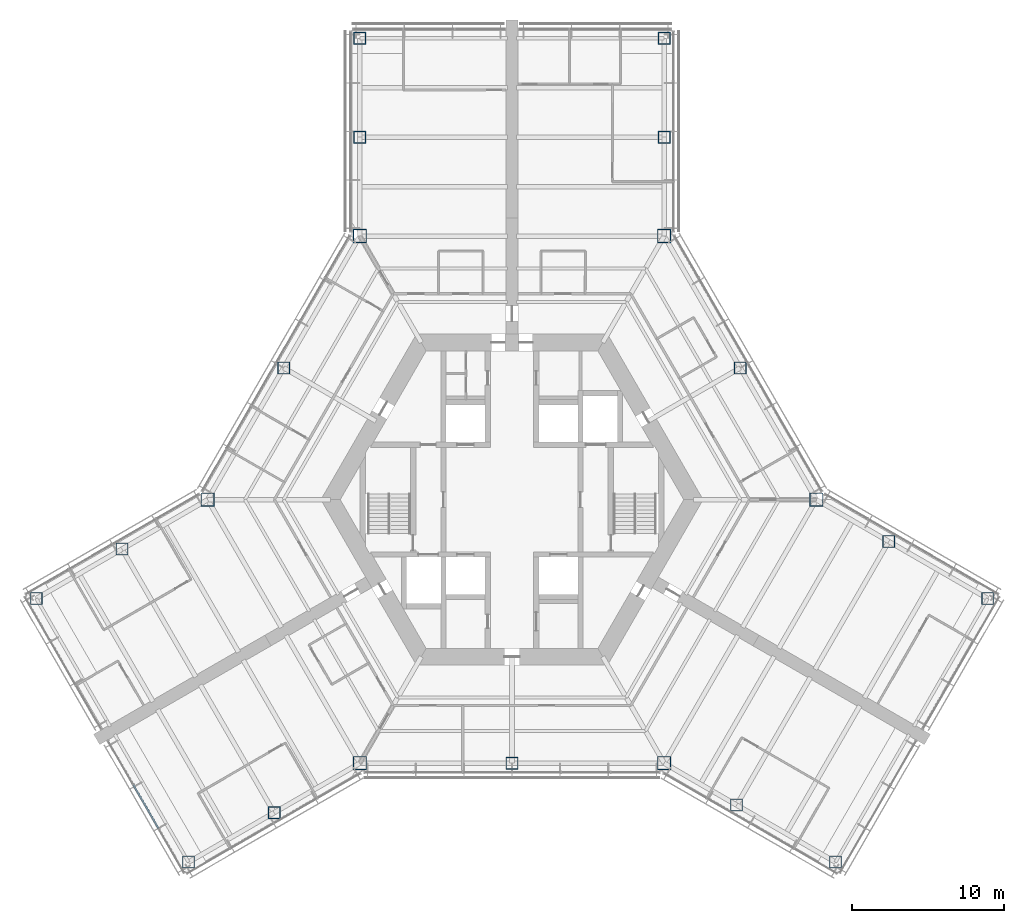
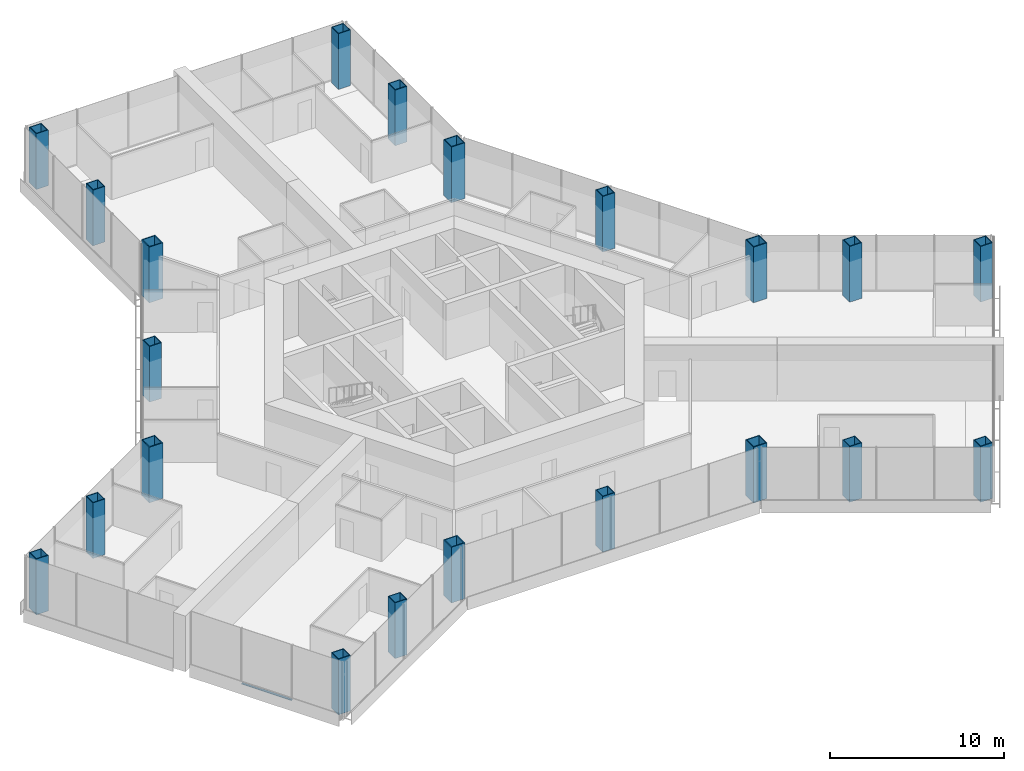
# One storey, part 1 of 18: 21 columns, 1 member, 1 element without a shape of its own.
"""IFC4 building model written with IfcOpenShell, lengths in metres."""

from ifc_helpers import new_model, si_unit, direction, frame, origin, origin_2d, place, context, subcontext, project, spatial, rectangle, hollow_rectangle, extrude, material, material_profile, profile_set, type_object, element, aggregate, save


model = new_model("IFC4")

# Units and contexts
model_context = context("Model", 3, precision=1e-05, world=origin(), true_north=direction((0.0, 1.0)))
body_context = subcontext(model_context, "Body", "Model", "MODEL_VIEW")
ifc_project = project(units=[si_unit("LENGTHUNIT", "METRE"), si_unit("AREAUNIT", "SQUARE_METRE"), si_unit("VOLUMEUNIT", "CUBIC_METRE"), si_unit("PLANEANGLEUNIT", "RADIAN"), si_unit("MASSUNIT", "GRAM", prefix="KILO")], contexts=[model_context])

# Site, building, storey
site_placement = place(None, origin())
site = spatial("IfcSite", under=ifc_project, at=site_placement, CompositionType="ELEMENT")
building_placement = place(site_placement, origin())
building = spatial("IfcBuilding", under=site, at=building_placement, Name="Kasaneha Research Tower", CompositionType="ELEMENT")
storey_placement = place(building_placement, frame((0.0, 0.0, 80.699951171875)))
storey = spatial("IfcBuildingStorey", under=building, at=storey_placement, Name="L20", CompositionType="ELEMENT", Elevation=80.699951171875)

# Columns
ifc_material_1 = material(Name="Steel SN490C", Category="steel")
ifc_material_profile_1 = material_profile(ifc_material_1, hollow_rectangle(XDim=0.89990234375, YDim=0.89990234375, WallThickness=0.054931640625, at=origin_2d()), Name="BOX-900x900x55")
ifc_profile_set_1 = profile_set([ifc_material_profile_1], Name="Steel SN490C")
column_type_1 = type_object("IfcColumnType", Name="C2A column BOX-900x900x55", PredefinedType="COLUMN", material=ifc_profile_set_1)
for number, where, z_axis, x_axis, name in (
    (1, (20.0, 0.0, 0.0), (0.0, 0.0, 1.0), (1.0, 0.0, 0.0), "Column V0 L20"),
    (2, (10.0, 17.320556640625, 0.0), (0.0, 0.0, 1.0), (1.0, 0.0, 0.0), "Column V1 L20"),
    (3, (-10.0, 17.320556640625, 0.0), (0.0, 0.0, 1.0), (1.0, 0.0, 0.0), "Column V2 L20"),
    (4, (-20.0, 0.0, 0.0), (0.0, 0.0, 1.0), (1.0, 0.0, 0.0), "Column V3 L20"),
    (5, (-10.0, -17.320556640625, 0.0), (0.0, 0.0, 1.0), (1.0, 0.0, 0.0), "Column V4 L20"),
    (6, (10.0, -17.320556640625, 0.0), (0.0, 0.0, 1.0), (1.0, 0.0, 0.0), "Column V5 L20"),
):
    element("IfcColumn", number, at=place(storey_placement, frame(where, z_axis=z_axis, x_axis=x_axis)), inside=storey, type_object=column_type_1, Name=name, PredefinedType="COLUMN", context=body_context, shape_type="SweptSolid", body=[
        extrude(hollow_rectangle(XDim=0.89990234375, YDim=0.89990234375, WallThickness=0.054931640625, at=origin_2d()), origin(), (0.0, 0.0, 1.0), 3.900146484375),
    ])
ifc_material_2 = material(Name="Steel SN490C", Category="steel")
ifc_material_profile_2 = material_profile(ifc_material_2, hollow_rectangle(XDim=0.800048828125, YDim=0.800048828125, WallThickness=0.044921875, at=origin_2d()), Name="BOX-800x800x45")
ifc_profile_set_2 = profile_set([ifc_material_profile_2], Name="Steel SN490C")
column_type_2 = type_object("IfcColumnType", Name="C2B column BOX-800x800x45", PredefinedType="COLUMN", material=ifc_profile_set_2)
for number, where, z_axis, x_axis, name in (
    (7, (15.0, 8.66015625, 0.0), (0.0, 0.0, 1.0), (1.0, 0.0, 0.0), "Column M030 L20"),
    (8, (-15.0, 8.66015625, 0.0), (0.0, 0.0, 1.0), (1.0, 0.0, 0.0), "Column M150 L20"),
    (9, (0.0, -17.320556640625, 0.0), (0.0, 0.0, 1.0), (1.0, 0.0, 0.0), "Column M270 L20"),
    (10, (10.0, 23.820556640625, 0.0), (0.0, 0.0, 1.0), (1.0, 0.0, 0.0), "Column ASP L20"),
    (11, (10.0, 30.320556640625, 0.0), (0.0, 0.0, 1.0), (1.0, 0.0, 0.0), "Column ATP L20"),
    (12, (-10.0, 23.820556640625, 0.0), (0.0, 0.0, 1.0), (1.0, 0.0, 0.0), "Column ASN L20"),
    (13, (-10.0, 30.320556640625, 0.0), (0.0, 0.0, 1.0), (1.0, 0.0, 0.0), "Column ATN L20"),
    (14, (-25.629150390625, -3.25, 0.0), (0.0, 0.0, 1.0), (1.0, 0.0, 0.0), "Column BSP L20"),
    (15, (-31.25830078125, -6.5, 0.0), (0.0, 0.0, 1.0), (1.0, 0.0, 0.0), "Column BTP L20"),
    (16, (-15.629150390625, -20.570556640625, 0.0), (0.0, 0.0, 1.0), (1.0, 0.0, 0.0), "Column BSN L20"),
    (17, (-21.25830078125, -23.820556640625, 0.0), (0.0, 0.0, 1.0), (1.0, 0.0, 0.0), "Column BTN L20"),
    (18, (14.76318359375, -20.070556640625, 0.0), (0.0, 0.0, 1.0), (1.0, 0.0, 0.0), "Column CSP L20"),
    (19, (21.25830078125, -23.820556640625, 0.0), (0.0, 0.0, 1.0), (1.0, 0.0, 0.0), "Column CTP L20"),
    (20, (24.76318359375, -2.75, 0.0), (0.0, 0.0, 1.0), (1.0, 0.0, 0.0), "Column CSN L20"),
    (21, (31.25830078125, -6.5, 0.0), (0.0, 0.0, 1.0), (1.0, 0.0, 0.0), "Column CTN L20"),
):
    element("IfcColumn", number, at=place(storey_placement, frame(where, z_axis=z_axis, x_axis=x_axis)), inside=storey, type_object=column_type_2, Name=name, PredefinedType="COLUMN", context=body_context, shape_type="SweptSolid", body=[
        extrude(hollow_rectangle(XDim=0.800048828125, YDim=0.800048828125, WallThickness=0.044921875, at=origin_2d()), origin(), (0.0, 0.0, 1.0), 3.900146484375),
    ])

# Curtain wall, member
ifc_material_3 = material(Name="Glass and aluminium", Category="aluminium")
curtain_wall_type = type_object("IfcCurtainWallType", Name="Low-rise office curtain wall", PredefinedType="USERDEFINED", material=ifc_material_3)
curtain_wall_placement = place(storey_placement, origin())
curtain_wall = element("IfcCurtainWall", 22, at=curtain_wall_placement, inside=storey, type_object=curtain_wall_type, Name="CW-O1 L20 run 15a", ObjectType="UNITISED CURTAIN WALL", PredefinedType="USERDEFINED")
ifc_material_4 = material(Name="Aluminium 6063-T6", Category="aluminium")
ifc_material_profile_3 = material_profile(ifc_material_4, rectangle(XDim=0.1201171875, YDim=0.06005859375, at=origin_2d()), Name="CW-O1 transom 120x60")
ifc_profile_set_3 = profile_set([ifc_material_profile_3], Name="Aluminium 6063-T6")
member_type = type_object("IfcMemberType", Name="CW-O1 transom", PredefinedType="USERDEFINED", material=ifc_profile_set_3)
member_placement = place(storey_placement, frame((-24.879638671875, -18.748291015625, 0.030029296875), z_axis=(0.500014325468, -0.866017132814, 0.0), x_axis=(0.866017132814, 0.500014325468, 0.0)))
member = element("IfcMember", 23, at=member_placement, type_object=member_type, Name="CW-O1 transom 2", ObjectType="TRANSOM", PredefinedType="USERDEFINED", context=body_context, shape_type="SweptSolid", body=[
    extrude(rectangle(XDim=0.1201171875, YDim=0.06005859375, at=origin_2d()), origin(), (0.0, 0.0, 1.0), 3.306640625),
])
aggregate(curtain_wall, [member])

save(model, "model.ifc")
